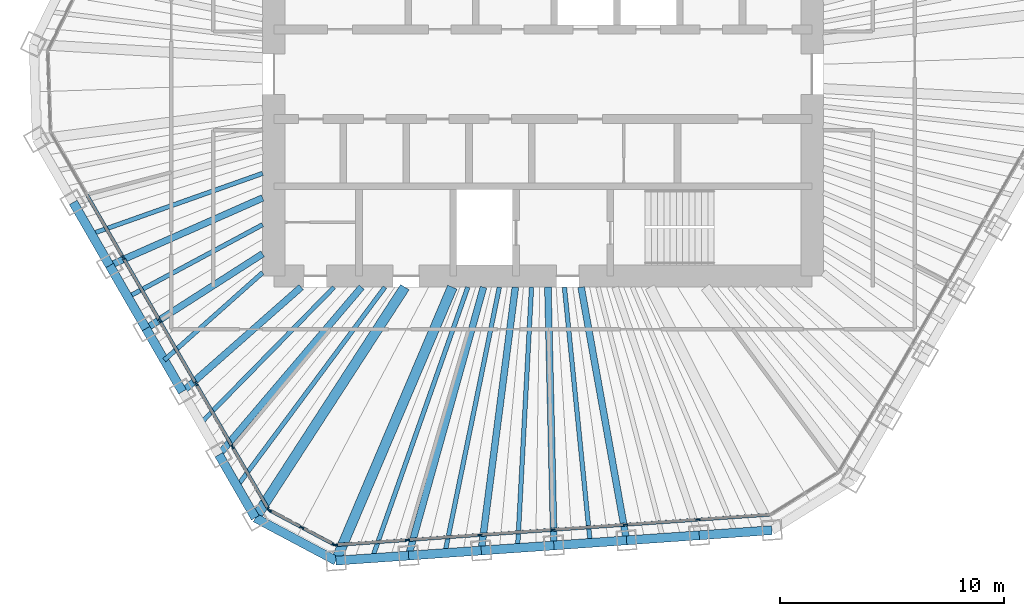
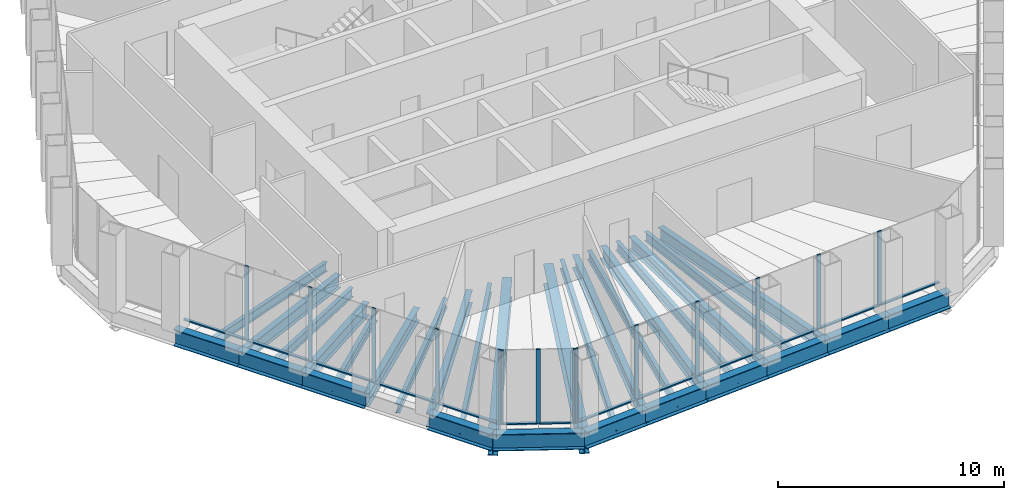
# One storey, part 2 of 14: 30 beams, 27 members, 3 elements without a shape of their own.
"""IFC4 building model written with IfcOpenShell, lengths in metres."""

from ifc_helpers import new_model, si_unit, direction, frame, origin, origin_2d, place, context, subcontext, project, spatial, rectangle, i_section, extrude, material, material_profile, profile_set, type_object, element, aggregate, save


model = new_model("IFC4")

# Units and contexts
model_context = context("Model", 3, precision=1e-05, world=origin(), true_north=direction((0.0, 1.0)))
body_context = subcontext(model_context, "Body", "Model", "MODEL_VIEW")
ifc_project = project(units=[si_unit("LENGTHUNIT", "METRE"), si_unit("AREAUNIT", "SQUARE_METRE"), si_unit("VOLUMEUNIT", "CUBIC_METRE"), si_unit("PLANEANGLEUNIT", "RADIAN"), si_unit("MASSUNIT", "GRAM", prefix="KILO")], contexts=[model_context])

# Site, building, storey
site_placement = place(None, origin())
site = spatial("IfcSite", under=ifc_project, at=site_placement, CompositionType="ELEMENT")
building_placement = place(site_placement, origin())
building = spatial("IfcBuilding", under=site, at=building_placement, Name="Qingtian Harvest Tower", CompositionType="ELEMENT")
storey_placement = place(building_placement, frame((0.0, 0.0, 291.39990234375)))
storey = spatial("IfcBuildingStorey", under=building, at=storey_placement, Name="L64", CompositionType="ELEMENT", Elevation=291.39990234375)

# Beams
ifc_material_1 = material(Name="Steel SM570MC", Category="steel")
ifc_material_profile_1 = material_profile(ifc_material_1, i_section(OverallWidth=0.449951171875, OverallDepth=1.10009765625, WebThickness=0.02197265625, FlangeThickness=0.044921875, at=origin_2d()), Name="H1100x450x22x45")
ifc_profile_set_1 = profile_set([ifc_material_profile_1], Name="Steel SM570MC")
beam_type_1 = type_object("IfcBeamType", Name="Corner floor beam FB8 H1100x450x22x45", PredefinedType="BEAM", material=ifc_profile_set_1)
beam_1_placement = place(storey_placement, frame((-9.231201171875, -21.69677734375, -0.719970703125), z_axis=(0.391497096334, 0.920179343151, 0.0), x_axis=(-0.920179343151, 0.391497096334, 0.0)))
element("IfcBeam", 1, at=beam_1_placement, inside=storey, type_object=beam_type_1, Name="Floor beam FB8 S6", PredefinedType="BEAM", context=body_context, shape_type="SweptSolid", body=[
    extrude(i_section(OverallWidth=0.449951171875, OverallDepth=1.10009765625, WebThickness=0.02197265625, FlangeThickness=0.044921875, at=origin_2d()), origin(), (0.0, 0.0, 1.0), 13.2548828125),
])
beam_2_placement = place(storey_placement, frame((-12.825439453125, -19.78564453125, -0.719970703125), z_axis=(0.543944801957, 0.83912099987, 0.0), x_axis=(-0.83912099987, 0.543944801957, 0.0)))
element("IfcBeam", 2, at=beam_2_placement, inside=storey, type_object=beam_type_1, Name="Floor beam FB8 SW0", PredefinedType="BEAM", context=body_context, shape_type="SweptSolid", body=[
    extrude(i_section(OverallWidth=0.449951171875, OverallDepth=1.10009765625, WebThickness=0.02197265625, FlangeThickness=0.044921875, at=origin_2d()), origin(), (0.0, 0.0, 1.0), 12.257568359375),
])
ifc_material_2 = material(Name="Steel SN490B", Category="steel")
ifc_material_profile_2 = material_profile(ifc_material_2, i_section(OverallWidth=0.300048828125, OverallDepth=0.699951171875, WebThickness=0.012939453125, FlangeThickness=0.02392578125, at=origin_2d()), Name="H700x300x13x24")
ifc_profile_set_2 = profile_set([ifc_material_profile_2], Name="Steel SN490B")
beam_type_2 = type_object("IfcBeamType", Name="Floor beam FB4 H700x300x13x24", PredefinedType="BEAM", material=ifc_profile_set_2)
beam_3_placement = place(storey_placement, frame((3.729248046875, -20.79052734375, -0.52001953125), z_axis=(-0.176549332285, 0.984291792747, 0.0), x_axis=(-0.984291792747, -0.176549332285, 0.0)))
element("IfcBeam", 3, at=beam_3_placement, inside=storey, type_object=beam_type_2, Name="Floor beam FB4 S2", PredefinedType="BEAM", context=body_context, shape_type="SweptSolid", body=[
    extrude(i_section(OverallWidth=0.300048828125, OverallDepth=0.699951171875, WebThickness=0.012939453125, FlangeThickness=0.02392578125, at=origin_2d()), origin(), (0.0, 0.0, 1.0), 11.470703125),
])
beam_4_placement = place(storey_placement, frame((0.489013671875, -21.01708984375, -0.52001953125), z_axis=(-0.023248050009, 0.999729727562, 0.0), x_axis=(-0.999729727562, -0.023248050009, 0.0)))
element("IfcBeam", 4, at=beam_4_placement, inside=storey, type_object=beam_type_2, Name="Floor beam FB4 S3", PredefinedType="BEAM", context=body_context, shape_type="SweptSolid", body=[
    extrude(i_section(OverallWidth=0.300048828125, OverallDepth=0.699951171875, WebThickness=0.012939453125, FlangeThickness=0.02392578125, at=origin_2d()), origin(), (0.0, 0.0, 1.0), 11.520263671875),
])
beam_5_placement = place(storey_placement, frame((-2.7509765625, -21.24365234375, -0.52001953125), z_axis=(0.128423358095, 0.991719436683, 0.0), x_axis=(-0.991719436683, 0.128423358095, 0.0)))
element("IfcBeam", 5, at=beam_5_placement, inside=storey, type_object=beam_type_2, Name="Floor beam FB4 S4", PredefinedType="BEAM", context=body_context, shape_type="SweptSolid", body=[
    extrude(i_section(OverallWidth=0.300048828125, OverallDepth=0.699951171875, WebThickness=0.012939453125, FlangeThickness=0.02392578125, at=origin_2d()), origin(), (0.0, 0.0, 1.0), 11.841796875),
])
beam_6_placement = place(storey_placement, frame((-5.9912109375, -21.47021484375, -0.52001953125), z_axis=(0.268784556761, 0.963200322906, 0.0), x_axis=(-0.963200322906, 0.268784556761, 0.0)))
element("IfcBeam", 6, at=beam_6_placement, inside=storey, type_object=beam_type_2, Name="Floor beam FB4 S5", PredefinedType="BEAM", context=body_context, shape_type="SweptSolid", body=[
    extrude(i_section(OverallWidth=0.300048828125, OverallDepth=0.699951171875, WebThickness=0.012939453125, FlangeThickness=0.02392578125, at=origin_2d()), origin(), (0.0, 0.0, 1.0), 12.427490234375),
])
beam_7_placement = place(storey_placement, frame((-14.449462890625, -16.972900390625, -0.52001953125), z_axis=(0.64823096823, 0.761443768001, 0.0), x_axis=(-0.761443768001, 0.64823096823, 0.0)))
element("IfcBeam", 7, at=beam_7_placement, inside=storey, type_object=beam_type_2, Name="Floor beam FB4 SW1", PredefinedType="BEAM", context=body_context, shape_type="SweptSolid", body=[
    extrude(i_section(OverallWidth=0.300048828125, OverallDepth=0.699951171875, WebThickness=0.012939453125, FlangeThickness=0.02392578125, at=origin_2d()), origin(), (0.0, 0.0, 1.0), 9.814208984375),
])
beam_8_placement = place(storey_placement, frame((-16.073486328125, -14.159912109375, -0.52001953125), z_axis=(0.75036921961, 0.661018936387, 0.0), x_axis=(-0.661018936387, 0.75036921961, 0.0)))
element("IfcBeam", 8, at=beam_8_placement, inside=storey, type_object=beam_type_2, Name="Floor beam FB4 SW2", PredefinedType="BEAM", context=body_context, shape_type="SweptSolid", body=[
    extrude(i_section(OverallWidth=0.300048828125, OverallDepth=0.699951171875, WebThickness=0.012939453125, FlangeThickness=0.02392578125, at=origin_2d()), origin(), (0.0, 0.0, 1.0), 7.049560546875),
])
beam_9_placement = place(storey_placement, frame((-17.697509765625, -11.34716796875, -0.52001953125), z_axis=(0.841821552392, 0.539755939225, 0.0), x_axis=(-0.539755939225, 0.841821552392, 0.0)))
element("IfcBeam", 9, at=beam_9_placement, inside=storey, type_object=beam_type_2, Name="Floor beam FB4 SW3", PredefinedType="BEAM", context=body_context, shape_type="SweptSolid", body=[
    extrude(i_section(OverallWidth=0.300048828125, OverallDepth=0.699951171875, WebThickness=0.012939453125, FlangeThickness=0.02392578125, at=origin_2d()), origin(), (0.0, 0.0, 1.0), 6.174072265625),
])
beam_10_placement = place(storey_placement, frame((-19.321533203125, -8.5341796875, -0.52001953125), z_axis=(0.914747389649, 0.404026253021, 0.0), x_axis=(-0.404026253021, 0.914747389649, 0.0)))
element("IfcBeam", 10, at=beam_10_placement, inside=storey, type_object=beam_type_2, Name="Floor beam FB4 SW4", PredefinedType="BEAM", context=body_context, shape_type="SweptSolid", body=[
    extrude(i_section(OverallWidth=0.300048828125, OverallDepth=0.699951171875, WebThickness=0.012939453125, FlangeThickness=0.02392578125, at=origin_2d()), origin(), (0.0, 0.0, 1.0), 7.457275390625),
])
ifc_material_3 = material(Name="Steel SN490B", Category="steel")
ifc_material_profile_3 = material_profile(ifc_material_3, i_section(OverallWidth=0.199951171875, OverallDepth=0.5, WebThickness=0.010009765625, FlangeThickness=0.01611328125, at=origin_2d()), Name="H500x200x10x16")
ifc_profile_set_3 = profile_set([ifc_material_profile_3], Name="Steel SN490B")
beam_type_3 = type_object("IfcBeamType", Name="Floor joist J3 H500x200x10x16", PredefinedType="JOIST", material=ifc_profile_set_3)
beam_11_placement = place(storey_placement, frame((2.109130859375, -20.90380859375, -0.419921875), z_axis=(-0.100389444623, 0.994948219461, 0.0), x_axis=(-0.994948219461, -0.100389444623, 0.0)))
element("IfcBeam", 11, at=beam_11_placement, inside=storey, type_object=beam_type_3, Name="Floor joist J3 S2", PredefinedType="JOIST", context=body_context, shape_type="SweptSolid", body=[
    extrude(i_section(OverallWidth=0.199951171875, OverallDepth=0.5, WebThickness=0.010009765625, FlangeThickness=0.01611328125, at=origin_2d()), origin(), (0.0, 0.0, 1.0), 11.461669921875),
])
beam_12_placement = place(storey_placement, frame((-1.130859375, -21.13037109375, -0.419921875), z_axis=(0.053431269754, 0.998571529442, 0.0), x_axis=(-0.998571529442, 0.053431269754, 0.0)))
element("IfcBeam", 12, at=beam_12_placement, inside=storey, type_object=beam_type_3, Name="Floor joist J3 S3", PredefinedType="JOIST", context=body_context, shape_type="SweptSolid", body=[
    extrude(i_section(OverallWidth=0.199951171875, OverallDepth=0.5, WebThickness=0.010009765625, FlangeThickness=0.01611328125, at=origin_2d()), origin(), (0.0, 0.0, 1.0), 11.64697265625),
])
beam_13_placement = place(storey_placement, frame((-4.37109375, -21.35693359375, -0.419921875), z_axis=(0.20051328843, 0.979690982485, 0.0), x_axis=(-0.979690982485, 0.20051328843, 0.0)))
element("IfcBeam", 13, at=beam_13_placement, inside=storey, type_object=beam_type_3, Name="Floor joist J3 S4", PredefinedType="JOIST", context=body_context, shape_type="SweptSolid", body=[
    extrude(i_section(OverallWidth=0.199951171875, OverallDepth=0.5, WebThickness=0.010009765625, FlangeThickness=0.01611328125, at=origin_2d()), origin(), (0.0, 0.0, 1.0), 12.102783203125),
])
beam_14_placement = place(storey_placement, frame((-7.611083984375, -21.58349609375, -0.419921875), z_axis=(0.332557973755, 0.943082814016, 0.0), x_axis=(-0.943082814016, 0.332557973755, 0.0)))
element("IfcBeam", 14, at=beam_14_placement, inside=storey, type_object=beam_type_3, Name="Floor joist J3 S5", PredefinedType="JOIST", context=body_context, shape_type="SweptSolid", body=[
    extrude(i_section(OverallWidth=0.199951171875, OverallDepth=0.5, WebThickness=0.010009765625, FlangeThickness=0.01611328125, at=origin_2d()), origin(), (0.0, 0.0, 1.0), 12.812744140625),
])
beam_15_placement = place(storey_placement, frame((-13.637451171875, -18.37939453125, -0.419921875), z_axis=(0.59587265023, 0.80307894052, 0.0), x_axis=(-0.80307894052, 0.59587265023, 0.0)))
element("IfcBeam", 15, at=beam_15_placement, inside=storey, type_object=beam_type_3, Name="Floor joist J3 SW0", PredefinedType="JOIST", context=body_context, shape_type="SweptSolid", body=[
    extrude(i_section(OverallWidth=0.199951171875, OverallDepth=0.5, WebThickness=0.010009765625, FlangeThickness=0.01611328125, at=origin_2d()), origin(), (0.0, 0.0, 1.0), 11.056640625),
])
beam_16_placement = place(storey_placement, frame((-15.261474609375, -15.56640625, -0.419921875), z_axis=(0.700074571426, 0.714069740602, 0.0), x_axis=(-0.714069740602, 0.700074571426, 0.0)))
element("IfcBeam", 16, at=beam_16_placement, inside=storey, type_object=beam_type_3, Name="Floor joist J3 SW1", PredefinedType="JOIST", context=body_context, shape_type="SweptSolid", body=[
    extrude(i_section(OverallWidth=0.199951171875, OverallDepth=0.5, WebThickness=0.010009765625, FlangeThickness=0.01611328125, at=origin_2d()), origin(), (0.0, 0.0, 1.0), 8.49560546875),
])
beam_17_placement = place(storey_placement, frame((-16.885498046875, -12.753662109375, -0.419921875), z_axis=(0.746957180478, 0.664872146004, 0.0), x_axis=(-0.664872146004, 0.746957180478, 0.0)))
element("IfcBeam", 17, at=beam_17_placement, inside=storey, type_object=beam_type_3, Name="Floor joist J3 SW2", PredefinedType="JOIST", context=body_context, shape_type="SweptSolid", body=[
    extrude(i_section(OverallWidth=0.199951171875, OverallDepth=0.5, WebThickness=0.010009765625, FlangeThickness=0.01611328125, at=origin_2d()), origin(), (0.0, 0.0, 1.0), 5.87109375),
])
beam_18_placement = place(storey_placement, frame((-18.509521484375, -9.940673828125, -0.419921875), z_axis=(0.880981997123, 0.473149786795, 0.0), x_axis=(-0.473149786795, 0.880981997123, 0.0)))
element("IfcBeam", 18, at=beam_18_placement, inside=storey, type_object=beam_type_3, Name="Floor joist J3 SW3", PredefinedType="JOIST", context=body_context, shape_type="SweptSolid", body=[
    extrude(i_section(OverallWidth=0.199951171875, OverallDepth=0.5, WebThickness=0.010009765625, FlangeThickness=0.01611328125, at=origin_2d()), origin(), (0.0, 0.0, 1.0), 6.8212890625),
])
beam_19_placement = place(storey_placement, frame((-20.133544921875, -7.1279296875, -0.419921875), z_axis=(0.942662600818, 0.333747241215, 0.0), x_axis=(-0.333747241215, 0.942662600818, 0.0)))
element("IfcBeam", 19, at=beam_19_placement, inside=storey, type_object=beam_type_3, Name="Floor joist J3 SW4", PredefinedType="JOIST", context=body_context, shape_type="SweptSolid", body=[
    extrude(i_section(OverallWidth=0.199951171875, OverallDepth=0.5, WebThickness=0.010009765625, FlangeThickness=0.01611328125, at=origin_2d()), origin(), (0.0, 0.0, 1.0), 8.097900390625),
])

# Curtain wall, members
ifc_material_4 = material(Name="Bronze-anodised aluminium curtain wall", Category="aluminium")
curtain_wall_type = type_object("IfcCurtainWallType", Name="Curtain wall CW5 upper office", PredefinedType="USERDEFINED", material=ifc_material_4)
curtain_wall_1_placement = place(storey_placement, origin())
curtain_wall_1 = element("IfcCurtainWall", 20, at=curtain_wall_1_placement, inside=storey, type_object=curtain_wall_type, Name="Curtain wall CW5 L64 S0-5", ObjectType="RECESSED CURTAIN WALL", PredefinedType="USERDEFINED")
ifc_material_5 = material(Name="Bronze-anodised aluminium mullion", Category="aluminium")
ifc_material_profile_4 = material_profile(ifc_material_5, rectangle(XDim=0.06494140625, YDim=0.199951171875, at=origin_2d()), Name="AL 65x200")
ifc_profile_set_4 = profile_set([ifc_material_profile_4], Name="Bronze-anodised aluminium mullion")
member_type_1 = type_object("IfcMemberType", Name="Mullion CWM 65x200", PredefinedType="MULLION", material=ifc_profile_set_4)
member_1_placement = place(storey_placement, frame((6.92041015625, -19.86572265625, 0.0), z_axis=(0.0, 0.0, 1.0), x_axis=(0.069756473744, -0.99756405026, 0.0)))
member_1 = element("IfcMember", 21, at=member_1_placement, type_object=member_type_1, Name="CW5 mullion 2", PredefinedType="MULLION", context=body_context, shape_type="SweptSolid", body=[
    extrude(rectangle(XDim=0.06494140625, YDim=0.199951171875, at=origin_2d()), origin(), (0.0, 0.0, 1.0), 4.030029296875),
])
member_2_placement = place(storey_placement, frame((3.680419921875, -20.09228515625, 0.0), z_axis=(0.0, 0.0, 1.0), x_axis=(0.069756473744, -0.99756405026, 0.0)))
member_2 = element("IfcMember", 22, at=member_2_placement, type_object=member_type_1, Name="CW5 mullion 3", PredefinedType="MULLION", context=body_context, shape_type="SweptSolid", body=[
    extrude(rectangle(XDim=0.06494140625, YDim=0.199951171875, at=origin_2d()), origin(), (0.0, 0.0, 1.0), 4.030029296875),
])
member_3_placement = place(storey_placement, frame((0.440185546875, -20.31884765625, 0.0), z_axis=(0.0, 0.0, 1.0), x_axis=(0.069756473744, -0.99756405026, 0.0)))
member_3 = element("IfcMember", 23, at=member_3_placement, type_object=member_type_1, Name="CW5 mullion 4", PredefinedType="MULLION", context=body_context, shape_type="SweptSolid", body=[
    extrude(rectangle(XDim=0.06494140625, YDim=0.199951171875, at=origin_2d()), origin(), (0.0, 0.0, 1.0), 4.030029296875),
])
member_4_placement = place(storey_placement, frame((-2.7998046875, -20.54541015625, 0.0), z_axis=(0.0, 0.0, 1.0), x_axis=(0.069756473744, -0.99756405026, 0.0)))
member_4 = element("IfcMember", 24, at=member_4_placement, type_object=member_type_1, Name="CW5 mullion 5", PredefinedType="MULLION", context=body_context, shape_type="SweptSolid", body=[
    extrude(rectangle(XDim=0.06494140625, YDim=0.199951171875, at=origin_2d()), origin(), (0.0, 0.0, 1.0), 4.030029296875),
])
member_5_placement = place(storey_placement, frame((-6.0400390625, -20.77197265625, 0.0), z_axis=(0.0, 0.0, 1.0), x_axis=(0.069756473744, -0.99756405026, 0.0)))
member_5 = element("IfcMember", 25, at=member_5_placement, type_object=member_type_1, Name="CW5 mullion 6", PredefinedType="MULLION", context=body_context, shape_type="SweptSolid", body=[
    extrude(rectangle(XDim=0.06494140625, YDim=0.199951171875, at=origin_2d()), origin(), (0.0, 0.0, 1.0), 4.030029296875),
])
member_6_placement = place(storey_placement, frame((-9.24755859375, -20.996337890625, 0.0), z_axis=(0.0, 0.0, 1.0), x_axis=(0.069756473744, -0.99756405026, 0.0)))
member_6 = element("IfcMember", 26, at=member_6_placement, type_object=member_type_1, Name="CW5 mullion 7", PredefinedType="MULLION", context=body_context, shape_type="SweptSolid", body=[
    extrude(rectangle(XDim=0.06494140625, YDim=0.199951171875, at=origin_2d()), origin(), (0.0, 0.0, 1.0), 4.030029296875),
])

curtain_wall_2_placement = place(storey_placement, origin())
curtain_wall_2 = element("IfcCurtainWall", 27, at=curtain_wall_2_placement, inside=storey, type_object=curtain_wall_type, Name="Curtain wall CW5 L64 SC", ObjectType="RECESSED CURTAIN WALL", PredefinedType="USERDEFINED")
member_7_placement = place(storey_placement, frame((-9.308837890625, -20.983154296875, 0.0), z_axis=(0.0, 0.0, 1.0), x_axis=(-0.469471562786, -0.882947592859, 0.0)))
member_7 = element("IfcMember", 28, at=member_7_placement, type_object=member_type_1, Name="CW5 mullion 1", PredefinedType="MULLION", context=body_context, shape_type="SweptSolid", body=[
    extrude(rectangle(XDim=0.06494140625, YDim=0.199951171875, at=origin_2d()), origin(), (0.0, 0.0, 1.0), 4.030029296875),
])
member_8_placement = place(storey_placement, frame((-10.749755859375, -20.217041015625, 0.0), z_axis=(0.0, 0.0, 1.0), x_axis=(-0.469471562786, -0.882947592859, 0.0)))
member_8 = element("IfcMember", 29, at=member_8_placement, type_object=member_type_1, Name="CW5 mullion 2", PredefinedType="MULLION", context=body_context, shape_type="SweptSolid", body=[
    extrude(rectangle(XDim=0.06494140625, YDim=0.199951171875, at=origin_2d()), origin(), (0.0, 0.0, 1.0), 4.030029296875),
])
member_9_placement = place(storey_placement, frame((-12.1904296875, -19.450927734375, 0.0), z_axis=(0.0, 0.0, 1.0), x_axis=(-0.469471562786, -0.882947592859, 0.0)))
member_9 = element("IfcMember", 30, at=member_9_placement, type_object=member_type_1, Name="CW5 mullion 3", PredefinedType="MULLION", context=body_context, shape_type="SweptSolid", body=[
    extrude(rectangle(XDim=0.06494140625, YDim=0.199951171875, at=origin_2d()), origin(), (0.0, 0.0, 1.0), 4.030029296875),
])

curtain_wall_3_placement = place(storey_placement, origin())
curtain_wall_3 = element("IfcCurtainWall", 31, at=curtain_wall_3_placement, inside=storey, type_object=curtain_wall_type, Name="Curtain wall CW5 L64 SW0-5", ObjectType="RECESSED CURTAIN WALL", PredefinedType="USERDEFINED")
member_10_placement = place(storey_placement, frame((-12.2353515625, -19.40771484375, 0.0), z_axis=(0.0, 0.0, 1.0), x_axis=(-0.866025403784, -0.5, 0.0)))
member_10 = element("IfcMember", 32, at=member_10_placement, type_object=member_type_1, Name="CW5 mullion 1", PredefinedType="MULLION", context=body_context, shape_type="SweptSolid", body=[
    extrude(rectangle(XDim=0.06494140625, YDim=0.199951171875, at=origin_2d()), origin(), (0.0, 0.0, 1.0), 4.030029296875),
])
member_11_placement = place(storey_placement, frame((-13.84326171875, -16.622802734375, 0.0), z_axis=(0.0, 0.0, 1.0), x_axis=(-0.866025403784, -0.5, 0.0)))
member_11 = element("IfcMember", 33, at=member_11_placement, type_object=member_type_1, Name="CW5 mullion 2", PredefinedType="MULLION", context=body_context, shape_type="SweptSolid", body=[
    extrude(rectangle(XDim=0.06494140625, YDim=0.199951171875, at=origin_2d()), origin(), (0.0, 0.0, 1.0), 4.030029296875),
])
member_12_placement = place(storey_placement, frame((-15.46728515625, -13.81005859375, 0.0), z_axis=(0.0, 0.0, 1.0), x_axis=(-0.866025403784, -0.5, 0.0)))
member_12 = element("IfcMember", 34, at=member_12_placement, type_object=member_type_1, Name="CW5 mullion 3", PredefinedType="MULLION", context=body_context, shape_type="SweptSolid", body=[
    extrude(rectangle(XDim=0.06494140625, YDim=0.199951171875, at=origin_2d()), origin(), (0.0, 0.0, 1.0), 4.030029296875),
])
member_13_placement = place(storey_placement, frame((-17.09130859375, -10.9970703125, 0.0), z_axis=(0.0, 0.0, 1.0), x_axis=(-0.866025403784, -0.5, 0.0)))
member_13 = element("IfcMember", 35, at=member_13_placement, type_object=member_type_1, Name="CW5 mullion 4", PredefinedType="MULLION", context=body_context, shape_type="SweptSolid", body=[
    extrude(rectangle(XDim=0.06494140625, YDim=0.199951171875, at=origin_2d()), origin(), (0.0, 0.0, 1.0), 4.030029296875),
])
member_14_placement = place(storey_placement, frame((-18.71533203125, -8.184326171875, 0.0), z_axis=(0.0, 0.0, 1.0), x_axis=(-0.866025403784, -0.5, 0.0)))
member_14 = element("IfcMember", 36, at=member_14_placement, type_object=member_type_1, Name="CW5 mullion 5", PredefinedType="MULLION", context=body_context, shape_type="SweptSolid", body=[
    extrude(rectangle(XDim=0.06494140625, YDim=0.199951171875, at=origin_2d()), origin(), (0.0, 0.0, 1.0), 4.030029296875),
])

# Beams
ifc_material_6 = material(Name="Steel SN490B", Category="steel")
ifc_material_profile_5 = material_profile(ifc_material_6, i_section(OverallWidth=0.39990234375, OverallDepth=0.89990234375, WebThickness=0.01904296875, FlangeThickness=0.035888671875, at=origin_2d()), Name="H900x400x19x36")
ifc_profile_set_5 = profile_set([ifc_material_profile_5], Name="Steel SN490B")
beam_type_4 = type_object("IfcBeamType", Name="Spandrel beam SB4 H900x400x19x36", PredefinedType="SPANDREL", material=ifc_profile_set_5)
beam_20_placement = place(storey_placement, frame((10.20947265625, -20.33740234375, -0.449951171875), z_axis=(-0.9975644093, -0.069751339047, 0.0), x_axis=(0.069751339047, -0.9975644093, 0.0)))
element("IfcBeam", 37, at=beam_20_placement, inside=storey, type_object=beam_type_4, Name="Spandrel SB4 S0", PredefinedType="SPANDREL", context=body_context, shape_type="SweptSolid", body=[
    extrude(i_section(OverallWidth=0.39990234375, OverallDepth=0.89990234375, WebThickness=0.01904296875, FlangeThickness=0.035888671875, at=origin_2d()), origin(), (0.0, 0.0, 1.0), 3.248046875),
])
beam_21_placement = place(storey_placement, frame((6.96923828125, -20.56396484375, -0.449951171875), z_axis=(-0.997564043571, -0.069756569394, 0.0), x_axis=(0.069756569394, -0.997564043571, 0.0)))
element("IfcBeam", 38, at=beam_21_placement, inside=storey, type_object=beam_type_4, Name="Spandrel SB4 S1", PredefinedType="SPANDREL", context=body_context, shape_type="SweptSolid", body=[
    extrude(i_section(OverallWidth=0.39990234375, OverallDepth=0.89990234375, WebThickness=0.01904296875, FlangeThickness=0.035888671875, at=origin_2d()), origin(), (0.0, 0.0, 1.0), 3.247802734375),
])
beam_22_placement = place(storey_placement, frame((3.729248046875, -20.79052734375, -0.449951171875), z_axis=(-0.9975644093, -0.069751339047, 0.0), x_axis=(0.069751339047, -0.9975644093, 0.0)))
element("IfcBeam", 39, at=beam_22_placement, inside=storey, type_object=beam_type_4, Name="Spandrel SB4 S2", PredefinedType="SPANDREL", context=body_context, shape_type="SweptSolid", body=[
    extrude(i_section(OverallWidth=0.39990234375, OverallDepth=0.89990234375, WebThickness=0.01904296875, FlangeThickness=0.035888671875, at=origin_2d()), origin(), (0.0, 0.0, 1.0), 3.248046875),
])
beam_23_placement = place(storey_placement, frame((0.489013671875, -21.01708984375, -0.449951171875), z_axis=(-0.997564043571, -0.069756569394, 0.0), x_axis=(0.069756569394, -0.997564043571, 0.0)))
element("IfcBeam", 40, at=beam_23_placement, inside=storey, type_object=beam_type_4, Name="Spandrel SB4 S3", PredefinedType="SPANDREL", context=body_context, shape_type="SweptSolid", body=[
    extrude(i_section(OverallWidth=0.39990234375, OverallDepth=0.89990234375, WebThickness=0.01904296875, FlangeThickness=0.035888671875, at=origin_2d()), origin(), (0.0, 0.0, 1.0), 3.247802734375),
])
beam_24_placement = place(storey_placement, frame((-2.7509765625, -21.24365234375, -0.449951171875), z_axis=(-0.9975644093, -0.069751339047, 0.0), x_axis=(0.069751339047, -0.9975644093, 0.0)))
element("IfcBeam", 41, at=beam_24_placement, inside=storey, type_object=beam_type_4, Name="Spandrel SB4 S4", PredefinedType="SPANDREL", context=body_context, shape_type="SweptSolid", body=[
    extrude(i_section(OverallWidth=0.39990234375, OverallDepth=0.89990234375, WebThickness=0.01904296875, FlangeThickness=0.035888671875, at=origin_2d()), origin(), (0.0, 0.0, 1.0), 3.248046875),
])
beam_25_placement = place(storey_placement, frame((-5.9912109375, -21.47021484375, -0.449951171875), z_axis=(-0.997564043571, -0.069756569394, 0.0), x_axis=(0.069756569394, -0.997564043571, 0.0)))
element("IfcBeam", 42, at=beam_25_placement, inside=storey, type_object=beam_type_4, Name="Spandrel SB4 S5", PredefinedType="SPANDREL", context=body_context, shape_type="SweptSolid", body=[
    extrude(i_section(OverallWidth=0.39990234375, OverallDepth=0.89990234375, WebThickness=0.01904296875, FlangeThickness=0.035888671875, at=origin_2d()), origin(), (0.0, 0.0, 1.0), 3.247802734375),
])
beam_26_placement = place(storey_placement, frame((-9.231201171875, -21.69677734375, -0.449951171875), z_axis=(-0.882943273379, 0.469479686456, 0.0), x_axis=(-0.469479686456, -0.882943273379, 0.0)))
element("IfcBeam", 43, at=beam_26_placement, inside=storey, type_object=beam_type_4, Name="Spandrel SB4 SC", PredefinedType="SPANDREL", context=body_context, shape_type="SweptSolid", body=[
    extrude(i_section(OverallWidth=0.39990234375, OverallDepth=0.89990234375, WebThickness=0.01904296875, FlangeThickness=0.035888671875, at=origin_2d()), origin(), (0.0, 0.0, 1.0), 4.07080078125),
])
for number, where, z_axis, x_axis, name in (
    (44, (-12.825439453125, -19.78564453125, -0.449951171875), (-0.500019593356, 0.866014091259, 0.0), (-0.866014091259, -0.500019593356, 0.0), "Spandrel SB4 SW0"),
    (45, (-16.073486328125, -14.159912109375, -0.449951171875), (-0.500019593356, 0.866014091259, 0.0), (-0.866014091259, -0.500019593356, 0.0), "Spandrel SB4 SW2"),
):
    element("IfcBeam", number, at=place(storey_placement, frame(where, z_axis=z_axis, x_axis=x_axis)), inside=storey, type_object=beam_type_4, Name=name, PredefinedType="SPANDREL", context=body_context, shape_type="SweptSolid", body=[
        extrude(i_section(OverallWidth=0.39990234375, OverallDepth=0.89990234375, WebThickness=0.01904296875, FlangeThickness=0.035888671875, at=origin_2d()), origin(), (0.0, 0.0, 1.0), 3.247802734375),
    ])
beam_27_placement = place(storey_placement, frame((-17.697509765625, -11.34716796875, -0.449951171875), z_axis=(-0.499987045439, 0.866032882975, 0.0), x_axis=(-0.866032882975, -0.499987045439, 0.0)))
element("IfcBeam", 46, at=beam_27_placement, inside=storey, type_object=beam_type_4, Name="Spandrel SB4 SW3", PredefinedType="SPANDREL", context=body_context, shape_type="SweptSolid", body=[
    extrude(i_section(OverallWidth=0.39990234375, OverallDepth=0.89990234375, WebThickness=0.01904296875, FlangeThickness=0.035888671875, at=origin_2d()), origin(), (0.0, 0.0, 1.0), 3.248046875),
])
beam_28_placement = place(storey_placement, frame((-19.321533203125, -8.5341796875, -0.449951171875), z_axis=(-0.500019593356, 0.866014091259, 0.0), x_axis=(-0.866014091259, -0.500019593356, 0.0)))
element("IfcBeam", 47, at=beam_28_placement, inside=storey, type_object=beam_type_4, Name="Spandrel SB4 SW4", PredefinedType="SPANDREL", context=body_context, shape_type="SweptSolid", body=[
    extrude(i_section(OverallWidth=0.39990234375, OverallDepth=0.89990234375, WebThickness=0.01904296875, FlangeThickness=0.035888671875, at=origin_2d()), origin(), (0.0, 0.0, 1.0), 3.247802734375),
])

# Member
ifc_material_7 = material(Name="Bronze-anodised aluminium transom", Category="aluminium")
ifc_material_profile_6 = material_profile(ifc_material_7, rectangle(XDim=0.14990234375, YDim=0.06494140625, at=origin_2d()), Name="AL 65x150")
ifc_profile_set_6 = profile_set([ifc_material_profile_6], Name="Bronze-anodised aluminium transom")
member_type_2 = type_object("IfcMemberType", Name="Transom CWT 65x150", PredefinedType="USERDEFINED", material=ifc_profile_set_6)
member_15_placement = place(storey_placement, frame((10.095703125, -19.6435546875, 0.03271484375), z_axis=(-0.997564955301, -0.069743529851, 0.0), x_axis=(0.069743529851, -0.997564955301, 0.0)))
member_15 = element("IfcMember", 48, at=member_15_placement, type_object=member_type_2, Name="CW5 transom 1.1", ObjectType="TRANSOM", PredefinedType="USERDEFINED", context=body_context, shape_type="SweptSolid", body=[
    extrude(rectangle(XDim=0.14990234375, YDim=0.06494140625, at=origin_2d()), origin(), (0.0, 0.0, 1.0), 3.150390625),
])

member_16_placement = place(storey_placement, frame((6.88818359375, -19.867919921875, 0.03271484375), z_axis=(-0.997566548107, -0.069720743674, 0.0), x_axis=(0.069720743674, -0.997566548107, 0.0)))
member_16 = element("IfcMember", 49, at=member_16_placement, type_object=member_type_2, Name="CW5 transom 2.1", ObjectType="TRANSOM", PredefinedType="USERDEFINED", context=body_context, shape_type="SweptSolid", body=[
    extrude(rectangle(XDim=0.14990234375, YDim=0.06494140625, at=origin_2d()), origin(), (0.0, 0.0, 1.0), 3.18310546875),
])

member_17_placement = place(storey_placement, frame((3.64794921875, -20.094482421875, 0.03271484375), z_axis=(-0.997566548107, -0.069720743674, 0.0), x_axis=(0.069720743674, -0.997566548107, 0.0)))
member_17 = element("IfcMember", 50, at=member_17_placement, type_object=member_type_2, Name="CW5 transom 3.1", ObjectType="TRANSOM", PredefinedType="USERDEFINED", context=body_context, shape_type="SweptSolid", body=[
    extrude(rectangle(XDim=0.14990234375, YDim=0.06494140625, at=origin_2d()), origin(), (0.0, 0.0, 1.0), 3.18310546875),
])

member_18_placement = place(storey_placement, frame((0.407958984375, -20.321044921875, 0.03271484375), z_axis=(-0.997566548107, -0.069720743674, 0.0), x_axis=(0.069720743674, -0.997566548107, 0.0)))
member_18 = element("IfcMember", 51, at=member_18_placement, type_object=member_type_2, Name="CW5 transom 4.1", ObjectType="TRANSOM", PredefinedType="USERDEFINED", context=body_context, shape_type="SweptSolid", body=[
    extrude(rectangle(XDim=0.14990234375, YDim=0.06494140625, at=origin_2d()), origin(), (0.0, 0.0, 1.0), 3.18310546875),
])

member_19_placement = place(storey_placement, frame((-2.832275390625, -20.547607421875, 0.03271484375), z_axis=(-0.997561210613, -0.06979707071, 0.0), x_axis=(0.06979707071, -0.997561210613, 0.0)))
member_19 = element("IfcMember", 52, at=member_19_placement, type_object=member_type_2, Name="CW5 transom 5.1", ObjectType="TRANSOM", PredefinedType="USERDEFINED", context=body_context, shape_type="SweptSolid", body=[
    extrude(rectangle(XDim=0.14990234375, YDim=0.06494140625, at=origin_2d()), origin(), (0.0, 0.0, 1.0), 3.18310546875),
])

member_20_placement = place(storey_placement, frame((-6.072509765625, -20.774169921875, 0.03271484375), z_axis=(-0.997564955301, -0.069743529851, 0.0), x_axis=(0.069743529851, -0.997564955301, 0.0)))
member_20 = element("IfcMember", 53, at=member_20_placement, type_object=member_type_2, Name="CW5 transom 6.1", ObjectType="TRANSOM", PredefinedType="USERDEFINED", context=body_context, shape_type="SweptSolid", body=[
    extrude(rectangle(XDim=0.14990234375, YDim=0.06494140625, at=origin_2d()), origin(), (0.0, 0.0, 1.0), 3.150390625),
])

aggregate(curtain_wall_1, [member_1, member_2, member_3, member_4, member_5, member_6, member_15, member_16, member_17, member_18, member_19, member_20])

member_21_placement = place(storey_placement, frame((-9.33740234375, -20.968017578125, 0.03271484375), z_axis=(-0.882960338349, 0.46944759122, 0.0), x_axis=(-0.46944759122, -0.882960338349, 0.0)))
member_21 = element("IfcMember", 54, at=member_21_placement, type_object=member_type_2, Name="CW5 transom 1.1", ObjectType="TRANSOM", PredefinedType="USERDEFINED", context=body_context, shape_type="SweptSolid", body=[
    extrude(rectangle(XDim=0.14990234375, YDim=0.06494140625, at=origin_2d()), origin(), (0.0, 0.0, 1.0), 1.56689453125),
])

member_22_placement = place(storey_placement, frame((-10.7783203125, -20.201904296875, 0.03271484375), z_axis=(-0.882960338349, 0.46944759122, 0.0), x_axis=(-0.46944759122, -0.882960338349, 0.0)))
member_22 = element("IfcMember", 55, at=member_22_placement, type_object=member_type_2, Name="CW5 transom 2.1", ObjectType="TRANSOM", PredefinedType="USERDEFINED", context=body_context, shape_type="SweptSolid", body=[
    extrude(rectangle(XDim=0.14990234375, YDim=0.06494140625, at=origin_2d()), origin(), (0.0, 0.0, 1.0), 1.56689453125),
])

aggregate(curtain_wall_2, [member_7, member_8, member_9, member_21, member_22])

member_23_placement = place(storey_placement, frame((-12.251708984375, -19.37939453125, 0.03271484375), z_axis=(-0.50000643655, 0.866021687608, 0.0), x_axis=(-0.866021687608, -0.50000643655, 0.0)))
member_23 = element("IfcMember", 56, at=member_23_placement, type_object=member_type_2, Name="CW5 transom 1.1", ObjectType="TRANSOM", PredefinedType="USERDEFINED", context=body_context, shape_type="SweptSolid", body=[
    extrude(rectangle(XDim=0.14990234375, YDim=0.06494140625, at=origin_2d()), origin(), (0.0, 0.0, 1.0), 3.150390625),
])

member_24_placement = place(storey_placement, frame((-13.859375, -16.5947265625, 0.03271484375), z_axis=(-0.5000079448, 0.866020816803, 0.0), x_axis=(-0.866020816803, -0.5000079448, 0.0)))
member_24 = element("IfcMember", 57, at=member_24_placement, type_object=member_type_2, Name="CW5 transom 2.1", ObjectType="TRANSOM", PredefinedType="USERDEFINED", context=body_context, shape_type="SweptSolid", body=[
    extrude(rectangle(XDim=0.14990234375, YDim=0.06494140625, at=origin_2d()), origin(), (0.0, 0.0, 1.0), 3.18310546875),
])

member_25_placement = place(storey_placement, frame((-15.4833984375, -13.78173828125, 0.03271484375), z_axis=(-0.500041159108, 0.866001639258, 0.0), x_axis=(-0.866001639258, -0.500041159108, 0.0)))
member_25 = element("IfcMember", 58, at=member_25_placement, type_object=member_type_2, Name="CW5 transom 3.1", ObjectType="TRANSOM", PredefinedType="USERDEFINED", context=body_context, shape_type="SweptSolid", body=[
    extrude(rectangle(XDim=0.14990234375, YDim=0.06494140625, at=origin_2d()), origin(), (0.0, 0.0, 1.0), 3.182861328125),
])

member_26_placement = place(storey_placement, frame((-17.107421875, -10.968994140625, 0.03271484375), z_axis=(-0.5000079448, 0.866020816803, 0.0), x_axis=(-0.866020816803, -0.5000079448, 0.0)))
member_26 = element("IfcMember", 59, at=member_26_placement, type_object=member_type_2, Name="CW5 transom 4.1", ObjectType="TRANSOM", PredefinedType="USERDEFINED", context=body_context, shape_type="SweptSolid", body=[
    extrude(rectangle(XDim=0.14990234375, YDim=0.06494140625, at=origin_2d()), origin(), (0.0, 0.0, 1.0), 3.18310546875),
])

member_27_placement = place(storey_placement, frame((-18.7314453125, -8.156005859375, 0.03271484375), z_axis=(-0.5000079448, 0.866020816803, 0.0), x_axis=(-0.866020816803, -0.5000079448, 0.0)))
member_27 = element("IfcMember", 60, at=member_27_placement, type_object=member_type_2, Name="CW5 transom 5.1", ObjectType="TRANSOM", PredefinedType="USERDEFINED", context=body_context, shape_type="SweptSolid", body=[
    extrude(rectangle(XDim=0.14990234375, YDim=0.06494140625, at=origin_2d()), origin(), (0.0, 0.0, 1.0), 3.18310546875),
])

aggregate(curtain_wall_3, [member_10, member_11, member_12, member_13, member_14, member_23, member_24, member_25, member_26, member_27])

save(model, "model.ifc")
